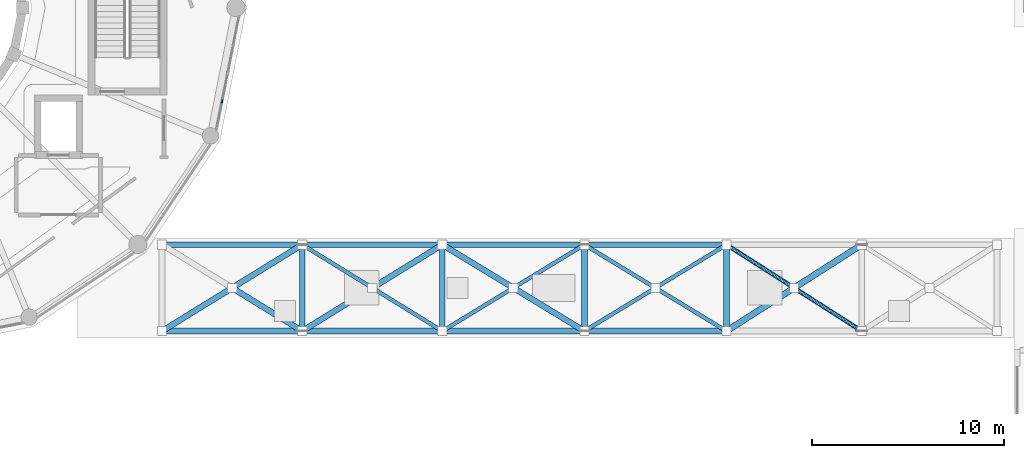
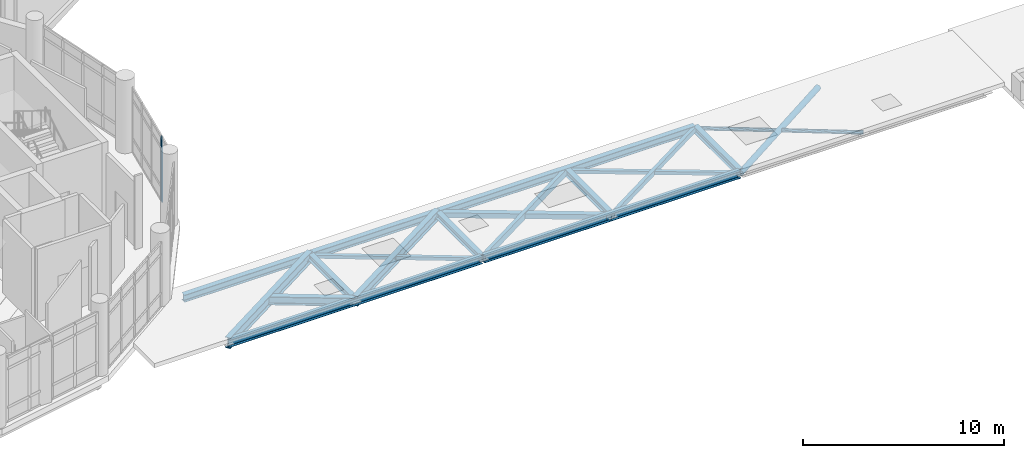
# One storey, part 14 of 75: 15 members, 8 beams, 1 element without a shape of its own.
"""IFC4 building model written with IfcOpenShell, lengths in metres."""

from ifc_helpers import new_model, si_unit, direction, frame, origin, origin_2d, place, context, subcontext, project, spatial, rectangle, hollow_rectangle, hollow_circle, i_section, extrude, material, material_profile, profile_set, type_object, element, aggregate, save


model = new_model("IFC4")

# Units and contexts
model_context = context("Model", 3, precision=1e-05, world=origin(), true_north=direction((0.0, 1.0)))
body_context = subcontext(model_context, "Body", "Model", "MODEL_VIEW")
ifc_project = project(units=[si_unit("LENGTHUNIT", "METRE"), si_unit("AREAUNIT", "SQUARE_METRE"), si_unit("VOLUMEUNIT", "CUBIC_METRE"), si_unit("PLANEANGLEUNIT", "RADIAN"), si_unit("MASSUNIT", "GRAM", prefix="KILO")], contexts=[model_context])

# Site, building, storey
site_placement = place(None, origin())
site = spatial("IfcSite", under=ifc_project, at=site_placement, CompositionType="ELEMENT")
building_placement = place(site_placement, origin())
building = spatial("IfcBuilding", under=site, at=building_placement, Name="Soyqirgoq Riverine Aquarium", CompositionType="ELEMENT")
storey_placement = place(building_placement, frame((0.0, 0.0, 10.199951171875)))
storey = spatial("IfcBuildingStorey", under=building, at=storey_placement, Name="L03", CompositionType="ELEMENT", Elevation=10.199951171875)

# Member
ifc_material_1 = material(Name="Structural steel S355", Category="steel")
ifc_material_profile_1 = material_profile(ifc_material_1, hollow_rectangle(XDim=0.199951171875, YDim=0.300048828125, WallThickness=0.011962890625, at=origin_2d()), Name="RHS 300x200x12")
ifc_profile_set_1 = profile_set([ifc_material_profile_1], Name="Structural steel S355")
member_type_1 = type_object("IfcMemberType", Name="ApexRing_RHS300x200", PredefinedType="STRUT", material=ifc_profile_set_1)
member_1_placement = place(storey_placement, frame((91.60009765625, 40.14990234375, -0.22998046875), z_axis=(0.854418394814, 0.519585610466, 0.0), x_axis=(-0.519585610466, 0.854418394814, 0.0)))
element("IfcMember", 1, at=member_1_placement, inside=storey, type_object=member_type_1, Name="BR-1 Roof Diaphragm Continuous X-Brace 0010", PredefinedType="STRUT", context=body_context, shape_type="SweptSolid", body=[
    extrude(hollow_rectangle(XDim=0.199951171875, YDim=0.300048828125, WallThickness=0.011962890625, at=origin_2d()), origin(), (0.0, 0.0, 1.0), 8.66064453125),
])

# Curtain wall, member
ifc_material_2 = material(Name="Anodised aluminium thermally broken triple low-E glazing", Category="aluminium")
curtain_wall_type = type_object("IfcCurtainWallType", Name="CW_DrumGallery_Unitised", PredefinedType="NOTDEFINED", material=ifc_material_2)
curtain_wall_placement = place(storey_placement, origin())
curtain_wall = element("IfcCurtainWall", 2, at=curtain_wall_placement, inside=storey, type_object=curtain_wall_type, Name="V1 L03 Curtain Wall 074", PredefinedType="NOTDEFINED")
ifc_material_3 = material(Name="Anodised aluminium 6063-T6", Category="aluminium")
ifc_material_profile_2 = material_profile(ifc_material_3, rectangle(XDim=0.06494140625, YDim=0.179931640625, at=origin_2d()), Name="ALU-M 65x180")
ifc_profile_set_2 = profile_set([ifc_material_profile_2], Name="Anodised aluminium 6063-T6")
member_type_2 = type_object("IfcMemberType", Name="CWMullion_65x180", PredefinedType="MULLION", material=ifc_profile_set_2)
member_2_placement = place(storey_placement, frame((72.7275390625, 52.111572265625, 0.0), z_axis=(0.0, 0.0, 1.0), x_axis=(-0.980784364221, 0.195094927919, 0.0)))
member_2 = element("IfcMember", 3, at=member_2_placement, type_object=member_type_2, Name="CW-01 mullion 2", PredefinedType="MULLION", context=body_context, shape_type="SweptSolid", body=[
    extrude(rectangle(XDim=0.06494140625, YDim=0.179931640625, at=origin_2d()), origin(), (0.0, 0.0, 1.0), 3.949951171875),
])
aggregate(curtain_wall, [member_2])

# Members
ifc_material_4 = material(Name="Structural steel S355", Category="steel")
ifc_material_profile_3 = material_profile(ifc_material_4, hollow_circle(Radius=0.109619140625, WallThickness=0.010009765625, at=origin_2d()), Name="CHS 219.1x10")
ifc_profile_set_3 = profile_set([ifc_material_profile_3], Name="Structural steel S355")
member_type_3 = type_object("IfcMemberType", Name="Diag_CHS219", PredefinedType="RAFTER", material=ifc_profile_set_3)
for number, where, z_axis, x_axis, name in (
    (4, (99.0, 44.64990234375, -0.22998046875), (0.842915449323, -0.53804604384, 0.0), (0.53804604384, 0.842915449323, 0.0), "BR-1 Roof Diaphragm Split X-Brace 0014"),
    (5, (102.52490234375, 42.39990234375, -0.22998046875), (0.84293234921, -0.538019567167, 0.0), (0.538019567167, 0.84293234921, 0.0), "BR-1 Roof Diaphragm Split X-Brace 0015"),
):
    element("IfcMember", number, at=place(storey_placement, frame(where, z_axis=z_axis, x_axis=x_axis)), inside=storey, type_object=member_type_3, Name=name, PredefinedType="RAFTER", context=body_context, shape_type="SweptSolid", body=[
        extrude(hollow_circle(Radius=0.109619140625, WallThickness=0.010009765625, at=origin_2d()), origin(), (0.0, 0.0, 1.0), 4.181884765625),
    ])
ifc_material_5 = material(Name="Structural steel S355", Category="steel")
ifc_material_profile_4 = material_profile(ifc_material_5, hollow_circle(Radius=0.161865234375, WallThickness=0.012451171875, at=origin_2d()), Name="CHS 323.9x12.5")
ifc_profile_set_4 = profile_set([ifc_material_profile_4], Name="Structural steel S355")
member_type_4 = type_object("IfcMemberType", Name="Diag_CHS323", PredefinedType="RAFTER", material=ifc_profile_set_4)
member_3_placement = place(storey_placement, frame((99.0, 40.14990234375, -0.22998046875), z_axis=(0.842923899579, 0.538032805244, 0.0), x_axis=(-0.538032805244, 0.842923899579, 0.0)))
element("IfcMember", 6, at=member_3_placement, inside=storey, type_object=member_type_4, Name="BR-1 Roof Diaphragm Continuous X-Brace 0013", PredefinedType="RAFTER", context=body_context, shape_type="SweptSolid", body=[
    extrude(hollow_circle(Radius=0.161865234375, WallThickness=0.012451171875, at=origin_2d()), origin(), (0.0, 0.0, 1.0), 8.36376953125),
])
ifc_material_6 = material(Name="Structural steel S355", Category="steel")
ifc_material_profile_5 = material_profile(ifc_material_6, i_section(OverallWidth=0.300048828125, OverallDepth=0.5, WebThickness=0.014404296875, FlangeThickness=0.028076171875, FilletRadius=0.027099609375, at=origin_2d()), Name="HEB 500")
ifc_profile_set_5 = profile_set([ifc_material_profile_5], Name="Structural steel S355")
member_type_5 = type_object("IfcMemberType", Name="FoldChord_HEB500", PredefinedType="CHORD", material=ifc_profile_set_5)
member_4_placement = place(storey_placement, frame((73.25, 42.39990234375, -0.22998046875), z_axis=(0.851251416644, -0.524758063932, 0.0), x_axis=(0.524758063932, 0.851251416644, 0.0)))
element("IfcMember", 7, at=member_4_placement, inside=storey, type_object=member_type_5, Name="BR-1 Roof Diaphragm Split X-Brace 0003", PredefinedType="CHORD", context=body_context, shape_type="SweptSolid", body=[
    extrude(i_section(OverallWidth=0.300048828125, OverallDepth=0.5, WebThickness=0.014404296875, FlangeThickness=0.028076171875, FilletRadius=0.027099609375, at=origin_2d()), origin(), (0.0, 0.0, 1.0), 4.28759765625),
])
ifc_material_7 = material(Name="Structural steel S355", Category="steel")
ifc_material_profile_6 = material_profile(ifc_material_7, i_section(OverallWidth=0.300048828125, OverallDepth=0.60009765625, WebThickness=0.015380859375, FlangeThickness=0.030029296875, FilletRadius=0.027099609375, at=origin_2d()), Name="HEB 600")
ifc_profile_set_6 = profile_set([ifc_material_profile_6], Name="Structural steel S355")
member_type_6 = type_object("IfcMemberType", Name="FoldChord_HEB600", PredefinedType="CHORD", material=ifc_profile_set_6)
member_5_placement = place(storey_placement, frame((76.89990234375, 40.14990234375, -0.22998046875), z_axis=(0.851259256157, 0.524745346627, 0.0), x_axis=(-0.524745346627, 0.851259256157, 0.0)))
element("IfcMember", 8, at=member_5_placement, inside=storey, type_object=member_type_6, Name="BR-1 Roof Diaphragm Continuous X-Brace 0004", PredefinedType="CHORD", context=body_context, shape_type="SweptSolid", body=[
    extrude(i_section(OverallWidth=0.300048828125, OverallDepth=0.60009765625, WebThickness=0.015380859375, FlangeThickness=0.030029296875, FilletRadius=0.027099609375, at=origin_2d()), origin(), (0.0, 0.0, 1.0), 8.57568359375),
])
ifc_material_8 = material(Name="Structural steel S355", Category="steel")
ifc_material_profile_7 = material_profile(ifc_material_8, i_section(OverallWidth=0.300048828125, OverallDepth=0.64990234375, WebThickness=0.01611328125, FlangeThickness=0.031005859375, FilletRadius=0.027099609375, at=origin_2d()), Name="HEB 650")
ifc_profile_set_7 = profile_set([ifc_material_profile_7], Name="Structural steel S355")
member_type_7 = type_object("IfcMemberType", Name="FoldChord_HEB650", PredefinedType="CHORD", material=ifc_profile_set_7)
member_6_placement = place(storey_placement, frame((69.60009765625, 40.14990234375, -0.22998046875), z_axis=(0.851251416644, 0.524758063932, 0.0), x_axis=(-0.524758063932, 0.851251416644, 0.0)))
element("IfcMember", 9, at=member_6_placement, inside=storey, type_object=member_type_7, Name="BR-1 Roof Diaphragm Continuous X-Brace 0001", PredefinedType="CHORD", context=body_context, shape_type="SweptSolid", body=[
    extrude(i_section(OverallWidth=0.300048828125, OverallDepth=0.64990234375, WebThickness=0.01611328125, FlangeThickness=0.031005859375, FilletRadius=0.027099609375, at=origin_2d()), origin(), (0.0, 0.0, 1.0), 8.575439453125),
])
ifc_material_9 = material(Name="Structural steel S355", Category="steel")
ifc_material_profile_8 = material_profile(ifc_material_9, hollow_rectangle(XDim=0.199951171875, YDim=0.39990234375, WallThickness=0.013916015625, at=origin_2d()), Name="RHS 400x200x14")
ifc_profile_set_8 = profile_set([ifc_material_profile_8], Name="Structural steel S355")
member_type_8 = type_object("IfcMemberType", Name="RingChord_RHS400x200", PredefinedType="CHORD", material=ifc_profile_set_8)
member_7_placement = place(storey_placement, frame((84.199951171875, 40.14990234375, -0.22998046875), z_axis=(0.854426004789, 0.519573096244, 0.0), x_axis=(-0.519573096244, 0.854426004789, 0.0)))
element("IfcMember", 10, at=member_7_placement, inside=storey, type_object=member_type_8, Name="BR-1 Roof Diaphragm Continuous X-Brace 0007", PredefinedType="CHORD", context=body_context, shape_type="SweptSolid", body=[
    extrude(hollow_rectangle(XDim=0.199951171875, YDim=0.39990234375, WallThickness=0.013916015625, at=origin_2d()), origin(), (0.0, 0.0, 1.0), 8.660888671875),
])

# Beams
ifc_material_10 = material(Name="Structural steel S355", Category="steel")
ifc_material_profile_9 = material_profile(ifc_material_10, i_section(OverallWidth=0.300048828125, OverallDepth=0.389892578125, WebThickness=0.010986328125, FlangeThickness=0.01904296875, FilletRadius=0.027099609375, at=origin_2d()), Name="HEA 400")
ifc_profile_set_9 = profile_set([ifc_material_profile_9], Name="Structural steel S355")
beam_type_1 = type_object("IfcBeamType", Name="SteelBeam_HEA400", PredefinedType="BEAM", material=ifc_profile_set_9)
for number, where, z_axis, x_axis, name in (
    (11, (76.89990234375, 40.199951171875, -0.195068359375), (0.0, 1.0, 0.0), (-1.0, 0.0, 0.0), "BR-1 L03 Bridge Mid-Bay Roof Tie 1439"),
    (12, (91.60009765625, 40.199951171875, -0.195068359375), (0.0, 1.0, 0.0), (-1.0, 0.0, 0.0), "BR-1 L03 Bridge Mid-Bay Roof Tie 1440"),
    (13, (84.199951171875, 40.199951171875, -0.195068359375), (0.0, 1.0, 0.0), (-1.0, 0.0, 0.0), "BR-1 L03 Bridge Roof Cross Beam 1445"),
    (14, (99.0, 40.199951171875, -0.195068359375), (0.0, 1.0, 0.0), (-1.0, 0.0, 0.0), "BR-1 L03 Bridge Roof Cross Beam 1447"),
):
    element("IfcBeam", number, at=place(storey_placement, frame(where, z_axis=z_axis, x_axis=x_axis)), inside=storey, type_object=beam_type_1, Name=name, PredefinedType="BEAM", context=body_context, shape_type="SweptSolid", body=[
        extrude(i_section(OverallWidth=0.300048828125, OverallDepth=0.389892578125, WebThickness=0.010986328125, FlangeThickness=0.01904296875, FilletRadius=0.027099609375, at=origin_2d()), origin(), (0.0, 0.0, 1.0), 4.400146484375),
    ])
ifc_material_11 = material(Name="Structural steel S355", Category="steel")
ifc_material_profile_10 = material_profile(ifc_material_11, i_section(OverallWidth=0.300048828125, OverallDepth=0.43994140625, WebThickness=0.011474609375, FlangeThickness=0.02099609375, FilletRadius=0.027099609375, at=origin_2d()), Name="HEA 450")
ifc_profile_set_10 = profile_set([ifc_material_profile_10], Name="Structural steel S355")
beam_type_2 = type_object("IfcBeamType", Name="SteelBeam_HEA450", PredefinedType="BEAM", material=ifc_profile_set_10)
beam_1_placement = place(storey_placement, frame((69.64990234375, 40.14990234375, -0.219970703125), z_axis=(1.0, 0.0, 0.0), x_axis=(0.0, 1.0, 0.0)))
element("IfcBeam", 15, at=beam_1_placement, inside=storey, type_object=beam_type_2, Name="BR-1 L03 Bridge Roof Chord Beam 1428", PredefinedType="BEAM", context=body_context, shape_type="SweptSolid", body=[
    extrude(i_section(OverallWidth=0.300048828125, OverallDepth=0.43994140625, WebThickness=0.011474609375, FlangeThickness=0.02099609375, FilletRadius=0.027099609375, at=origin_2d()), origin(), (0.0, 0.0, 1.0), 14.5),
])
beam_2_placement = place(storey_placement, frame((84.25, 40.14990234375, -0.219970703125), z_axis=(1.0, 0.0, 0.0), x_axis=(0.0, 1.0, 0.0)))
element("IfcBeam", 16, at=beam_2_placement, inside=storey, type_object=beam_type_2, Name="BR-1 L03 Bridge Roof Chord Beam 1430", PredefinedType="BEAM", context=body_context, shape_type="SweptSolid", body=[
    extrude(i_section(OverallWidth=0.300048828125, OverallDepth=0.43994140625, WebThickness=0.011474609375, FlangeThickness=0.02099609375, FilletRadius=0.027099609375, at=origin_2d()), origin(), (0.0, 0.0, 1.0), 14.699951171875),
])
beam_3_placement = place(storey_placement, frame((69.64990234375, 44.64990234375, -0.219970703125), z_axis=(1.0, 0.0, 0.0), x_axis=(0.0, 1.0, 0.0)))
element("IfcBeam", 17, at=beam_3_placement, inside=storey, type_object=beam_type_2, Name="BR-1 L03 Bridge Roof Chord Beam 1434", PredefinedType="BEAM", context=body_context, shape_type="SweptSolid", body=[
    extrude(i_section(OverallWidth=0.300048828125, OverallDepth=0.43994140625, WebThickness=0.011474609375, FlangeThickness=0.02099609375, FilletRadius=0.027099609375, at=origin_2d()), origin(), (0.0, 0.0, 1.0), 14.5),
])
beam_4_placement = place(storey_placement, frame((84.25, 44.64990234375, -0.219970703125), z_axis=(1.0, 0.0, 0.0), x_axis=(0.0, 1.0, 0.0)))
element("IfcBeam", 18, at=beam_4_placement, inside=storey, type_object=beam_type_2, Name="BR-1 L03 Bridge Roof Chord Beam 1436", PredefinedType="BEAM", context=body_context, shape_type="SweptSolid", body=[
    extrude(i_section(OverallWidth=0.300048828125, OverallDepth=0.43994140625, WebThickness=0.011474609375, FlangeThickness=0.02099609375, FilletRadius=0.027099609375, at=origin_2d()), origin(), (0.0, 0.0, 1.0), 14.699951171875),
])

# Members
ifc_material_12 = material(Name="Structural steel S355", Category="steel")
ifc_material_profile_11 = material_profile(ifc_material_12, hollow_rectangle(XDim=0.199951171875, YDim=0.199951171875, WallThickness=0.011962890625, at=origin_2d()), Name="SHS 200x200x12")
ifc_profile_set_11 = profile_set([ifc_material_profile_11], Name="Structural steel S355")
member_type_9 = type_object("IfcMemberType", Name="Strut_SHS200", PredefinedType="STRUT", material=ifc_profile_set_11)
member_8_placement = place(storey_placement, frame((76.89990234375, 44.64990234375, -0.22998046875), z_axis=(0.851267095101, -0.524732629821, 0.0), x_axis=(0.524732629821, 0.851267095101, 0.0)))
element("IfcMember", 19, at=member_8_placement, inside=storey, type_object=member_type_9, Name="BR-1 Roof Diaphragm Split X-Brace 0005", PredefinedType="STRUT", context=body_context, shape_type="SweptSolid", body=[
    extrude(hollow_rectangle(XDim=0.199951171875, YDim=0.199951171875, WallThickness=0.011962890625, at=origin_2d()), origin(), (0.0, 0.0, 1.0), 4.287841796875),
])
member_9_placement = place(storey_placement, frame((80.550048828125, 42.39990234375, -0.22998046875), z_axis=(0.851251416644, -0.524758063932, 0.0), x_axis=(0.524758063932, 0.851251416644, 0.0)))
element("IfcMember", 20, at=member_9_placement, inside=storey, type_object=member_type_9, Name="BR-1 Roof Diaphragm Split X-Brace 0006", PredefinedType="STRUT", context=body_context, shape_type="SweptSolid", body=[
    extrude(hollow_rectangle(XDim=0.199951171875, YDim=0.199951171875, WallThickness=0.011962890625, at=origin_2d()), origin(), (0.0, 0.0, 1.0), 4.28759765625),
])
for number, where, z_axis, x_axis, name in (
    (21, (91.60009765625, 44.64990234375, -0.22998046875), (0.854418394814, -0.519585610466, 0.0), (0.519585610466, 0.854418394814, 0.0), "BR-1 Roof Diaphragm Split X-Brace 0011"),
    (22, (95.300048828125, 42.39990234375, -0.22998046875), (0.854418394814, -0.519585610466, 0.0), (0.519585610466, 0.854418394814, 0.0), "BR-1 Roof Diaphragm Split X-Brace 0012"),
):
    element("IfcMember", number, at=place(storey_placement, frame(where, z_axis=z_axis, x_axis=x_axis)), inside=storey, type_object=member_type_9, Name=name, PredefinedType="STRUT", context=body_context, shape_type="SweptSolid", body=[
        extrude(hollow_rectangle(XDim=0.199951171875, YDim=0.199951171875, WallThickness=0.011962890625, at=origin_2d()), origin(), (0.0, 0.0, 1.0), 4.330322265625),
    ])
ifc_material_13 = material(Name="Structural steel S355", Category="steel")
ifc_material_profile_12 = material_profile(ifc_material_13, hollow_rectangle(XDim=0.300048828125, YDim=0.300048828125, WallThickness=0.01611328125, at=origin_2d()), Name="SHS 300x300x16")
ifc_profile_set_12 = profile_set([ifc_material_profile_12], Name="Structural steel S355")
member_type_10 = type_object("IfcMemberType", Name="Strut_SHS300", PredefinedType="POST", material=ifc_profile_set_12)
member_10_placement = place(storey_placement, frame((84.199951171875, 44.64990234375, -0.22998046875), z_axis=(0.854418394814, -0.519585610466, 0.0), x_axis=(0.519585610466, 0.854418394814, 0.0)))
element("IfcMember", 23, at=member_10_placement, inside=storey, type_object=member_type_10, Name="BR-1 Roof Diaphragm Split X-Brace 0008", PredefinedType="POST", context=body_context, shape_type="SweptSolid", body=[
    extrude(hollow_rectangle(XDim=0.300048828125, YDim=0.300048828125, WallThickness=0.01611328125, at=origin_2d()), origin(), (0.0, 0.0, 1.0), 4.330322265625),
])
member_11_placement = place(storey_placement, frame((87.89990234375, 42.39990234375, -0.22998046875), z_axis=(0.854433614213, -0.519560582514, 0.0), x_axis=(0.519560582514, 0.854433614213, 0.0)))
element("IfcMember", 24, at=member_11_placement, inside=storey, type_object=member_type_10, Name="BR-1 Roof Diaphragm Split X-Brace 0009", PredefinedType="POST", context=body_context, shape_type="SweptSolid", body=[
    extrude(hollow_rectangle(XDim=0.300048828125, YDim=0.300048828125, WallThickness=0.01611328125, at=origin_2d()), origin(), (0.0, 0.0, 1.0), 4.33056640625),
])

save(model, "model.ifc")
